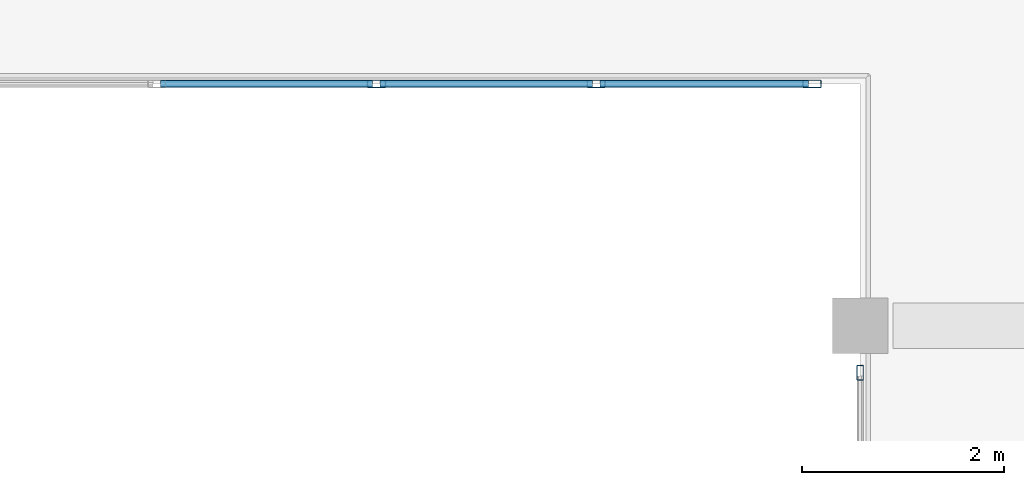
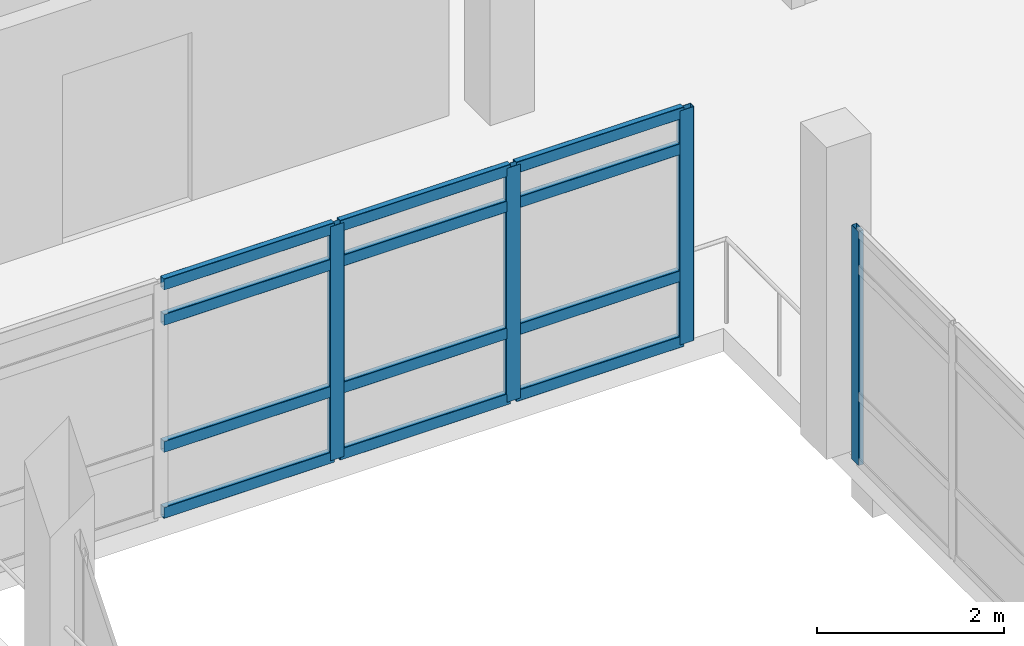
# One storey, part 33 of 72: 16 members, 2 elements without a shape of their own.
"""IFC4 building model written with IfcOpenShell, lengths in metres."""

from ifc_helpers import new_model, si_unit, direction, frame, origin, origin_2d, place, context, subcontext, project, spatial, hollow_rectangle, extrude, material, layer, layer_set, material_profile, profile_set, type_object, element, aggregate, save


model = new_model("IFC4")

# Units and contexts
model_context = context("Model", 3, precision=1e-05, world=origin(), true_north=direction((0.0, 1.0)))
body_context = subcontext(model_context, "Body", "Model", "MODEL_VIEW")
ifc_project = project(units=[si_unit("LENGTHUNIT", "METRE"), si_unit("AREAUNIT", "SQUARE_METRE"), si_unit("VOLUMEUNIT", "CUBIC_METRE"), si_unit("PLANEANGLEUNIT", "RADIAN"), si_unit("MASSUNIT", "GRAM", prefix="KILO")], contexts=[model_context])

# Site, building, storey
site_placement = place(None, origin())
site = spatial("IfcSite", under=ifc_project, at=site_placement, CompositionType="ELEMENT")
building_placement = place(site_placement, origin())
building = spatial("IfcBuilding", under=site, at=building_placement, Name="Asteropetra Specialist Clinic", CompositionType="ELEMENT")
storey_placement = place(building_placement, frame((0.0, 0.0, 12.580078125)))
storey = spatial("IfcBuildingStorey", under=building, at=storey_placement, Name="L03", CompositionType="ELEMENT", Elevation=12.580078125)

# Curtain wall, member
ifc_material_1 = material(Name="Aluminium and low-E glass", Category="aluminium")
ifc_layer_1 = layer(ifc_material_1, 0.135009765625)
ifc_layer_set_1 = layer_set([ifc_layer_1], Name="Aluminium and low-E glass")
curtain_wall_type_1 = type_object("IfcCurtainWallType", Name="CW-SYS-12", PredefinedType="USERDEFINED", material=ifc_layer_set_1)
curtain_wall_1_placement = place(storey_placement, origin())
curtain_wall_1 = element("IfcCurtainWall", 1, at=curtain_wall_1_placement, inside=storey, type_object=curtain_wall_type_1, Name="Curtain Wall CW-088", ObjectType="STICK GLAZED COLONNADE", PredefinedType="USERDEFINED")
ifc_material_2 = material(Name="Aluminium 6063-T6", Category="aluminium")
ifc_material_profile_1 = material_profile(ifc_material_2, hollow_rectangle(XDim=0.06494140625, YDim=0.14990234375, WallThickness=0.00390625, InnerFilletRadius=0.00390625, OuterFilletRadius=0.008056640625, at=origin_2d()), Name="MUL 150x65x4.0")
ifc_profile_set_1 = profile_set([ifc_material_profile_1], Name="Aluminium 6063-T6")
member_type_1 = type_object("IfcMemberType", Name="CWM-150x65", PredefinedType="MULLION", material=ifc_profile_set_1)
member_1_placement = place(storey_placement, frame((134.39990234375, 33.132568359375, 0.0), z_axis=(0.0, 0.0, 1.0), x_axis=(-1.0, 0.0, 0.0)))
member_1 = element("IfcMember", 2, at=member_1_placement, type_object=member_type_1, Name="CW-088 mullion 4", PredefinedType="MULLION", context=body_context, shape_type="SweptSolid", body=[
    extrude(hollow_rectangle(XDim=0.06494140625, YDim=0.14990234375, WallThickness=0.00390625, InnerFilletRadius=0.00390625, OuterFilletRadius=0.008056640625, at=origin_2d()), origin(), (0.0, 0.0, 1.0), 3.059814453125),
])
aggregate(curtain_wall_1, [member_1])

# Curtain wall, members
ifc_material_3 = material(Name="Aluminium and low-E glass", Category="aluminium")
ifc_layer_2 = layer(ifc_material_3, 0.135009765625)
ifc_layer_set_2 = layer_set([ifc_layer_2], Name="Aluminium and low-E glass")
curtain_wall_type_2 = type_object("IfcCurtainWallType", Name="CW-SYS-09", PredefinedType="USERDEFINED", material=ifc_layer_set_2)
curtain_wall_2_placement = place(storey_placement, origin())
curtain_wall_2 = element("IfcCurtainWall", 3, at=curtain_wall_2_placement, inside=storey, type_object=curtain_wall_type_2, Name="Curtain Wall CW-084", ObjectType="STICK GLAZED COLONNADE", PredefinedType="USERDEFINED")
ifc_material_4 = material(Name="Aluminium 6063-T6", Category="aluminium")
ifc_material_profile_2 = material_profile(ifc_material_4, hollow_rectangle(XDim=0.074951171875, YDim=0.179931640625, WallThickness=0.00390625, InnerFilletRadius=0.00390625, OuterFilletRadius=0.008056640625, at=origin_2d()), Name="MUL 180x75x4.0")
ifc_profile_set_2 = profile_set([ifc_material_profile_2], Name="Aluminium 6063-T6")
member_type_2 = type_object("IfcMemberType", Name="CWM-180x75", PredefinedType="MULLION", material=ifc_profile_set_2)
member_2_placement = place(storey_placement, frame((133.922607421875, 36.0, 0.0), z_axis=(0.0, 0.0, 1.0), x_axis=(0.0, -1.0, 0.0)))
member_2 = element("IfcMember", 4, at=member_2_placement, type_object=member_type_2, Name="CW-084 mullion 1", PredefinedType="MULLION", context=body_context, shape_type="SweptSolid", body=[
    extrude(hollow_rectangle(XDim=0.074951171875, YDim=0.179931640625, WallThickness=0.00390625, InnerFilletRadius=0.00390625, OuterFilletRadius=0.008056640625, at=origin_2d()), origin(), (0.0, 0.0, 1.0), 3.059814453125),
])
member_3_placement = place(storey_placement, frame((131.780029296875, 36.0, 0.0), z_axis=(0.0, 0.0, 1.0), x_axis=(0.0, -1.0, 0.0)))
member_3 = element("IfcMember", 5, at=member_3_placement, type_object=member_type_2, Name="CW-084 mullion 2", PredefinedType="MULLION", context=body_context, shape_type="SweptSolid", body=[
    extrude(hollow_rectangle(XDim=0.074951171875, YDim=0.179931640625, WallThickness=0.00390625, InnerFilletRadius=0.00390625, OuterFilletRadius=0.008056640625, at=origin_2d()), origin(), (0.0, 0.0, 1.0), 3.059814453125),
])
member_4_placement = place(storey_placement, frame((129.60009765625, 36.0, 0.0), z_axis=(0.0, 0.0, 1.0), x_axis=(0.0, -1.0, 0.0)))
member_4 = element("IfcMember", 6, at=member_4_placement, type_object=member_type_2, Name="CW-084 mullion 3", PredefinedType="MULLION", context=body_context, shape_type="SweptSolid", body=[
    extrude(hollow_rectangle(XDim=0.074951171875, YDim=0.179931640625, WallThickness=0.00390625, InnerFilletRadius=0.00390625, OuterFilletRadius=0.008056640625, at=origin_2d()), origin(), (0.0, 0.0, 1.0), 3.059814453125),
])
ifc_material_5 = material(Name="Aluminium 6063-T6", Category="aluminium")
ifc_material_profile_3 = material_profile(ifc_material_5, hollow_rectangle(XDim=0.074951171875, YDim=0.14990234375, WallThickness=0.00390625, InnerFilletRadius=0.00390625, OuterFilletRadius=0.008056640625, at=origin_2d()), Name="TRN 150x75x4.0")
ifc_profile_set_3 = profile_set([ifc_material_profile_3], Name="Aluminium 6063-T6")
member_type_3 = type_object("IfcMemberType", Name="CWT-150x75", PredefinedType="USERDEFINED", material=ifc_profile_set_3)
member_5_placement = place(storey_placement, frame((133.885009765625, 36.0, 0.037353515625), z_axis=(-1.0, 0.0, 0.0), x_axis=(0.0, -1.0, 0.0)))
member_5 = element("IfcMember", 7, at=member_5_placement, type_object=member_type_3, Name="CW-084 transom 1.1", ObjectType="TRANSOM", PredefinedType="USERDEFINED", context=body_context, shape_type="SweptSolid", body=[
    extrude(hollow_rectangle(XDim=0.074951171875, YDim=0.14990234375, WallThickness=0.00390625, InnerFilletRadius=0.00390625, OuterFilletRadius=0.008056640625, at=origin_2d()), origin(), (0.0, 0.0, 1.0), 2.067626953125),
])
member_6_placement = place(storey_placement, frame((133.885009765625, 36.0, 0.89990234375), z_axis=(-1.0, 0.0, 0.0), x_axis=(0.0, -1.0, 0.0)))
member_6 = element("IfcMember", 8, at=member_6_placement, type_object=member_type_3, Name="CW-084 transom 1.2", ObjectType="TRANSOM", PredefinedType="USERDEFINED", context=body_context, shape_type="SweptSolid", body=[
    extrude(hollow_rectangle(XDim=0.074951171875, YDim=0.14990234375, WallThickness=0.00390625, InnerFilletRadius=0.00390625, OuterFilletRadius=0.008056640625, at=origin_2d()), origin(), (0.0, 0.0, 1.0), 2.067626953125),
])
member_7_placement = place(storey_placement, frame((133.885009765625, 36.0, 2.559814453125), z_axis=(-1.0, 0.0, 0.0), x_axis=(0.0, -1.0, 0.0)))
member_7 = element("IfcMember", 9, at=member_7_placement, type_object=member_type_3, Name="CW-084 transom 1.3", ObjectType="TRANSOM", PredefinedType="USERDEFINED", context=body_context, shape_type="SweptSolid", body=[
    extrude(hollow_rectangle(XDim=0.074951171875, YDim=0.14990234375, WallThickness=0.00390625, InnerFilletRadius=0.00390625, OuterFilletRadius=0.008056640625, at=origin_2d()), origin(), (0.0, 0.0, 1.0), 2.067626953125),
])
member_8_placement = place(storey_placement, frame((133.885009765625, 36.0, 3.0224609375), z_axis=(-1.0, 0.0, 0.0), x_axis=(0.0, -1.0, 0.0)))
member_8 = element("IfcMember", 10, at=member_8_placement, type_object=member_type_3, Name="CW-084 transom 1.4", ObjectType="TRANSOM", PredefinedType="USERDEFINED", context=body_context, shape_type="SweptSolid", body=[
    extrude(hollow_rectangle(XDim=0.074951171875, YDim=0.14990234375, WallThickness=0.00390625, InnerFilletRadius=0.00390625, OuterFilletRadius=0.008056640625, at=origin_2d()), origin(), (0.0, 0.0, 1.0), 2.067626953125),
])
member_9_placement = place(storey_placement, frame((131.742431640625, 36.0, 0.037353515625), z_axis=(-1.0, 0.0, 0.0), x_axis=(0.0, -1.0, 0.0)))
member_9 = element("IfcMember", 11, at=member_9_placement, type_object=member_type_3, Name="CW-084 transom 2.1", ObjectType="TRANSOM", PredefinedType="USERDEFINED", context=body_context, shape_type="SweptSolid", body=[
    extrude(hollow_rectangle(XDim=0.074951171875, YDim=0.14990234375, WallThickness=0.00390625, InnerFilletRadius=0.00390625, OuterFilletRadius=0.008056640625, at=origin_2d()), origin(), (0.0, 0.0, 1.0), 2.10498046875),
])
member_10_placement = place(storey_placement, frame((131.742431640625, 36.0, 0.89990234375), z_axis=(-1.0, 0.0, 0.0), x_axis=(0.0, -1.0, 0.0)))
member_10 = element("IfcMember", 12, at=member_10_placement, type_object=member_type_3, Name="CW-084 transom 2.2", ObjectType="TRANSOM", PredefinedType="USERDEFINED", context=body_context, shape_type="SweptSolid", body=[
    extrude(hollow_rectangle(XDim=0.074951171875, YDim=0.14990234375, WallThickness=0.00390625, InnerFilletRadius=0.00390625, OuterFilletRadius=0.008056640625, at=origin_2d()), origin(), (0.0, 0.0, 1.0), 2.10498046875),
])
member_11_placement = place(storey_placement, frame((131.742431640625, 36.0, 2.559814453125), z_axis=(-1.0, 0.0, 0.0), x_axis=(0.0, -1.0, 0.0)))
member_11 = element("IfcMember", 13, at=member_11_placement, type_object=member_type_3, Name="CW-084 transom 2.3", ObjectType="TRANSOM", PredefinedType="USERDEFINED", context=body_context, shape_type="SweptSolid", body=[
    extrude(hollow_rectangle(XDim=0.074951171875, YDim=0.14990234375, WallThickness=0.00390625, InnerFilletRadius=0.00390625, OuterFilletRadius=0.008056640625, at=origin_2d()), origin(), (0.0, 0.0, 1.0), 2.10498046875),
])
member_12_placement = place(storey_placement, frame((131.742431640625, 36.0, 3.0224609375), z_axis=(-1.0, 0.0, 0.0), x_axis=(0.0, -1.0, 0.0)))
member_12 = element("IfcMember", 14, at=member_12_placement, type_object=member_type_3, Name="CW-084 transom 2.4", ObjectType="TRANSOM", PredefinedType="USERDEFINED", context=body_context, shape_type="SweptSolid", body=[
    extrude(hollow_rectangle(XDim=0.074951171875, YDim=0.14990234375, WallThickness=0.00390625, InnerFilletRadius=0.00390625, OuterFilletRadius=0.008056640625, at=origin_2d()), origin(), (0.0, 0.0, 1.0), 2.10498046875),
])
member_13_placement = place(storey_placement, frame((129.5625, 36.0, 0.037353515625), z_axis=(-1.0, 0.0, 0.0), x_axis=(0.0, -1.0, 0.0)))
member_13 = element("IfcMember", 15, at=member_13_placement, type_object=member_type_3, Name="CW-084 transom 3.1", ObjectType="TRANSOM", PredefinedType="USERDEFINED", context=body_context, shape_type="SweptSolid", body=[
    extrude(hollow_rectangle(XDim=0.074951171875, YDim=0.14990234375, WallThickness=0.00390625, InnerFilletRadius=0.00390625, OuterFilletRadius=0.008056640625, at=origin_2d()), origin(), (0.0, 0.0, 1.0), 2.10498046875),
])
member_14_placement = place(storey_placement, frame((129.5625, 36.0, 0.89990234375), z_axis=(-1.0, 0.0, 0.0), x_axis=(0.0, -1.0, 0.0)))
member_14 = element("IfcMember", 16, at=member_14_placement, type_object=member_type_3, Name="CW-084 transom 3.2", ObjectType="TRANSOM", PredefinedType="USERDEFINED", context=body_context, shape_type="SweptSolid", body=[
    extrude(hollow_rectangle(XDim=0.074951171875, YDim=0.14990234375, WallThickness=0.00390625, InnerFilletRadius=0.00390625, OuterFilletRadius=0.008056640625, at=origin_2d()), origin(), (0.0, 0.0, 1.0), 2.10498046875),
])
member_15_placement = place(storey_placement, frame((129.5625, 36.0, 2.559814453125), z_axis=(-1.0, 0.0, 0.0), x_axis=(0.0, -1.0, 0.0)))
member_15 = element("IfcMember", 17, at=member_15_placement, type_object=member_type_3, Name="CW-084 transom 3.3", ObjectType="TRANSOM", PredefinedType="USERDEFINED", context=body_context, shape_type="SweptSolid", body=[
    extrude(hollow_rectangle(XDim=0.074951171875, YDim=0.14990234375, WallThickness=0.00390625, InnerFilletRadius=0.00390625, OuterFilletRadius=0.008056640625, at=origin_2d()), origin(), (0.0, 0.0, 1.0), 2.10498046875),
])
member_16_placement = place(storey_placement, frame((129.5625, 36.0, 3.0224609375), z_axis=(-1.0, 0.0, 0.0), x_axis=(0.0, -1.0, 0.0)))
member_16 = element("IfcMember", 18, at=member_16_placement, type_object=member_type_3, Name="CW-084 transom 3.4", ObjectType="TRANSOM", PredefinedType="USERDEFINED", context=body_context, shape_type="SweptSolid", body=[
    extrude(hollow_rectangle(XDim=0.074951171875, YDim=0.14990234375, WallThickness=0.00390625, InnerFilletRadius=0.00390625, OuterFilletRadius=0.008056640625, at=origin_2d()), origin(), (0.0, 0.0, 1.0), 2.10498046875),
])
aggregate(curtain_wall_2, [member_2, member_3, member_4, member_5, member_6, member_7, member_8, member_9, member_10, member_11, member_12, member_13, member_14, member_15, member_16])

save(model, "model.ifc")
